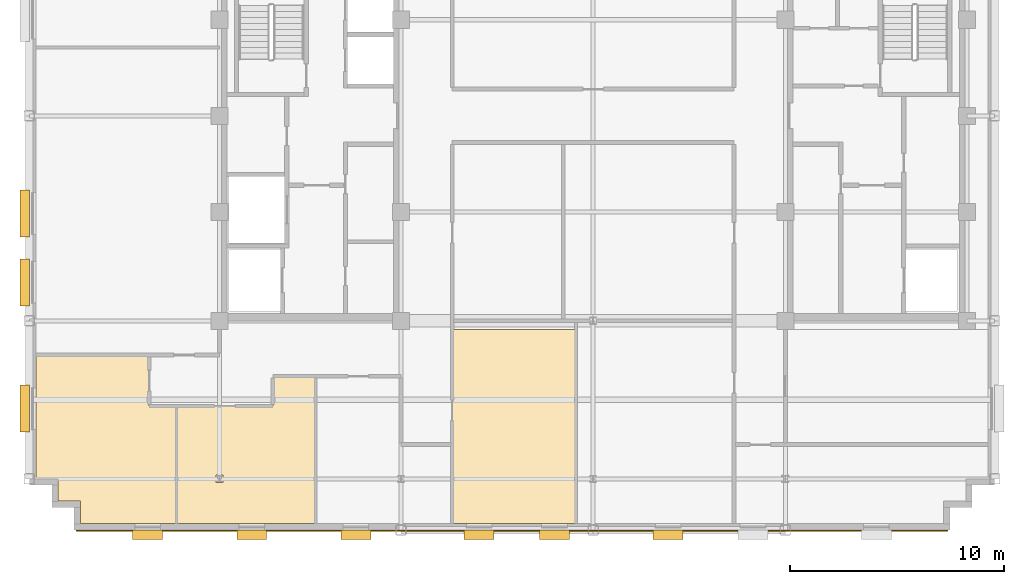
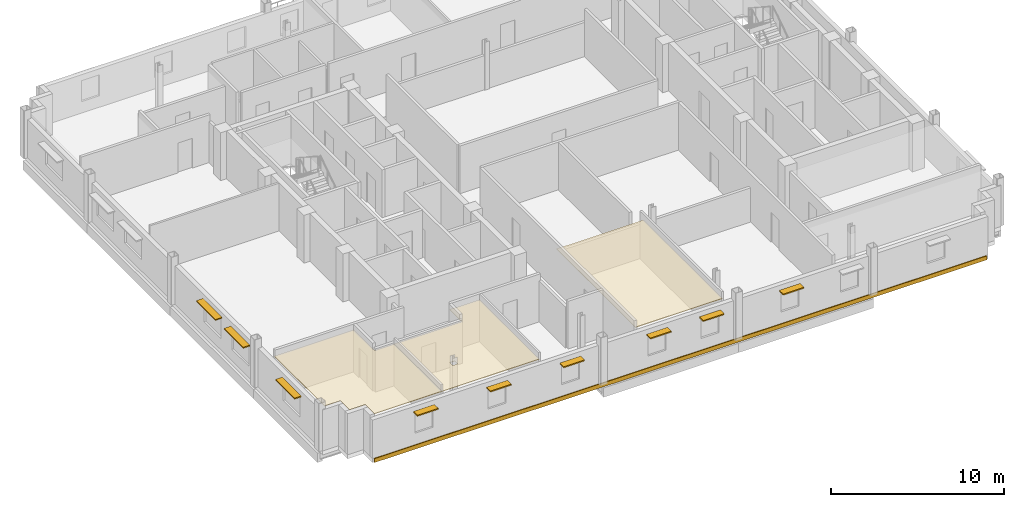
# One storey, part 10 of 14: 9 shading devices, 4 coverings.
"""IFC4 building model written with IfcOpenShell, lengths in metres."""

import ifcopenshell
import ifcopenshell.guid

model = None  # the IFC model being written
_history = None  # IfcOwnerHistory: only IFC2X3 demands one
_inside = {}  # id of a spatial element -> (the spatial element, [elements in it])
_under = {}  # id of a project, library or spatial element -> (it, [spatial elements below it])
_declared = {}  # id of a project -> (the project, [libraries it declares])
_typed = {}  # id of a type object -> (the type object, [elements of that type])
_made_of = {}  # id of a material, layer set ... -> (it, [elements and type objects made of it])


def new_model(schema):
    """Start an empty IFC model of exactly this schema.

    Asked for "IFC4X3", IfcOpenShell would pick the latest addendum, in which some entities
    have other attributes; the version numbers below select the first issue.
    IFC2X3 requires an IfcOwnerHistory on every rooted entity: one is made here for all.
    """
    global model, _history
    if schema == "IFC4X3":
        model = ifcopenshell.file(schema_version=(4, 3, 0, 0))
    else:
        model = ifcopenshell.file(schema=schema)
    _inside.clear()
    _under.clear()
    _declared.clear()
    _typed.clear()
    _made_of.clear()
    _history = None
    if model.schema == "IFC2X3":
        org = make("IfcOrganization", Name="unknown")
        user = make(
            "IfcPersonAndOrganization",
            ThePerson=make("IfcPerson", FamilyName="unknown"),
            TheOrganization=org,
        )
        app = make(
            "IfcApplication",
            ApplicationDeveloper=org,
            Version="unknown",
            ApplicationFullName="unknown",
            ApplicationIdentifier="unknown",
        )
        _history = make(
            "IfcOwnerHistory",
            OwningUser=user,
            OwningApplication=app,
            ChangeAction="ADDED",
            CreationDate=0,
        )
    return model


def make(cls, **values):
    """One entity of the class cls with the attributes given. An attribute that is None is left unset."""
    return model.create_entity(
        cls, **{name: value for name, value in values.items() if value is not None}
    )


def rooted(cls, **values):
    """An entity with a GlobalId (a new one), such as an element, a storey or a relation."""
    return make(cls, GlobalId=ifcopenshell.guid.new(), OwnerHistory=_history, **values)


def si_unit(unit_type, name, prefix=None):
    """IfcSIUnit, for example si_unit("LENGTHUNIT", "METRE", prefix="MILLI")."""
    return make("IfcSIUnit", UnitType=unit_type, Prefix=prefix, Name=name)


def assignment(units):
    """IfcUnitAssignment: the units of a project."""
    return None if units is None else make("IfcUnitAssignment", Units=units)


def point(xyz):
    """IfcCartesianPoint."""
    return None if xyz is None else make("IfcCartesianPoint", Coordinates=xyz)


def direction(xyz):
    """IfcDirection."""
    return None if xyz is None else make("IfcDirection", DirectionRatios=xyz)


def frame(location, z_axis=None, x_axis=None):
    """IfcAxis2Placement3D, a coordinate frame: its origin and axes. An axis left out is left unset."""
    return make(
        "IfcAxis2Placement3D",
        Location=point(location),
        Axis=direction(z_axis),
        RefDirection=direction(x_axis),
    )


def frame_2d(location, x_axis=None):
    """IfcAxis2Placement2D, a coordinate frame in the plane: its origin and x axis."""
    return make(
        "IfcAxis2Placement2D", Location=point(location), RefDirection=direction(x_axis)
    )


def origin():
    """The frame at (0, 0, 0) with its axes left unset."""
    return frame((0.0, 0.0, 0.0))


def origin_2d():
    """The frame at (0, 0) in the plane with its x axis left unset."""
    return frame_2d((0.0, 0.0))


def place(relative_to, where):
    """IfcLocalPlacement: puts the frame where relative to a parent placement (None: the world)."""
    return make(
        "IfcLocalPlacement", PlacementRelTo=relative_to, RelativePlacement=where
    )


def context(
    kind, dimensions, precision=None, world=None, true_north=None, identifier=None
):
    """IfcGeometricRepresentationContext, for example the 3D "Model" context."""
    return make(
        "IfcGeometricRepresentationContext",
        ContextIdentifier=identifier,
        ContextType=kind,
        CoordinateSpaceDimension=dimensions,
        Precision=precision,
        WorldCoordinateSystem=world,
        TrueNorth=true_north,
    )


def subcontext(parent, identifier, kind, view, scale=None):
    """IfcGeometricRepresentationSubContext, for example "Body" below "Model"."""
    return make(
        "IfcGeometricRepresentationSubContext",
        ContextIdentifier=identifier,
        ContextType=kind,
        ParentContext=parent,
        TargetScale=scale,
        TargetView=view,
    )


def project(units=None, contexts=None):
    """IfcProject with its units and contexts."""
    return rooted(
        "IfcProject",
        Name="project",
        RepresentationContexts=contexts,
        UnitsInContext=assignment(units),
    )


def spatial(cls, under=None, at=None, **own):
    """A site, building, storey or space (cls), placed at a placement, below another one or the project."""
    s = rooted(cls, ObjectPlacement=at, **own)
    if under is not None:
        _under.setdefault(under.id(), (under, []))[1].append(s)
    return s


def polyline(points):
    """IfcPolyline through the points."""
    return make("IfcPolyline", Points=[point(p) for p in points])


def profile(cls, at=None, kind="AREA", **sizes):
    """A parametric profile (cls). Its sizes go by their IFC names, for example OverallWidth=200.0."""
    return make(cls, ProfileType=kind, Position=at, **sizes)


def rectangle(**sizes):
    """IfcRectangleProfileDef."""
    return profile("IfcRectangleProfileDef", **sizes)


def outline(outer, holes=None, kind="AREA"):
    """IfcArbitraryClosedProfileDef: a profile drawn as a closed curve; with holes, ...WithVoids."""
    if holes is None:
        return make("IfcArbitraryClosedProfileDef", ProfileType=kind, OuterCurve=outer)
    return make(
        "IfcArbitraryProfileDefWithVoids",
        ProfileType=kind,
        OuterCurve=outer,
        InnerCurves=holes,
    )


def extrude(swept, where, along, depth):
    """IfcExtrudedAreaSolid: the profile swept, set in the frame where, extruded along a direction by depth."""
    return make(
        "IfcExtrudedAreaSolid",
        SweptArea=swept,
        Position=where,
        ExtrudedDirection=direction(along),
        Depth=depth,
    )


def shape(context_of_items, identifier, shape_type, items):
    """IfcShapeRepresentation: the items that make up one representation, for example the "Body"."""
    return make(
        "IfcShapeRepresentation",
        ContextOfItems=context_of_items,
        RepresentationIdentifier=identifier,
        RepresentationType=shape_type,
        Items=items,
    )


def source(mapping_origin, context_of_items, identifier, shape_type, items):
    """IfcRepresentationMap: a shape defined once, which mapped items show again and again."""
    return make(
        "IfcRepresentationMap",
        MappingOrigin=mapping_origin,
        MappedRepresentation=shape(context_of_items, identifier, shape_type, items),
    )


def transform(
    local_origin,
    x_axis=None,
    y_axis=None,
    z_axis=None,
    scale=None,
    scale2=None,
    scale3=None,
    uniform=True,
):
    """IfcCartesianTransformationOperator3D, or its non-uniform kind. x_axis, y_axis, z_axis: its Axis1, 2, 3."""
    if uniform:
        return make(
            "IfcCartesianTransformationOperator3D",
            Axis1=direction(x_axis),
            Axis2=direction(y_axis),
            LocalOrigin=point(local_origin),
            Scale=scale,
            Axis3=direction(z_axis),
        )
    return make(
        "IfcCartesianTransformationOperator3DnonUniform",
        Axis1=direction(x_axis),
        Axis2=direction(y_axis),
        LocalOrigin=point(local_origin),
        Scale=scale,
        Axis3=direction(z_axis),
        Scale2=scale2,
        Scale3=scale3,
    )


def mapped(mapping_source, mapping_target):
    """IfcMappedItem: shows the shape of a source again, moved by a transform."""
    return make(
        "IfcMappedItem", MappingSource=mapping_source, MappingTarget=mapping_target
    )


def material(Name=None, Category=None):
    """IfcMaterial."""
    return make("IfcMaterial", Name=Name, Category=Category)


def layer(
    of_material, thickness, ventilated=None, Name=None, Category=None, Priority=None
):
    """IfcMaterialLayer: one layer of a wall or slab, of a material (None: an air gap)."""
    return make(
        "IfcMaterialLayer",
        Material=of_material,
        LayerThickness=thickness,
        IsVentilated=ventilated,
        Name=Name,
        Category=Category,
        Priority=Priority,
    )


def layer_set(layers, Name=None):
    """IfcMaterialLayerSet."""
    return make("IfcMaterialLayerSet", MaterialLayers=layers, LayerSetName=Name)


def made_of(thing, what):
    """Note that an element or type object is made of a material, layer set ...; save() writes the relation."""
    if what is not None:
        _made_of.setdefault(what.id(), (what, []))[1].append(thing)
    return thing


def type_object(cls, material=None, **own):
    """A type object (cls), such as IfcWallType, which elements share."""
    return made_of(rooted(cls, **own), material)


def type_shapes(of_type, sources):
    """Give a type object the sources (RepresentationMaps) that its elements show as mapped items."""
    of_type.RepresentationMaps = sources


def element(
    cls,
    number,
    at=None,
    inside=None,
    cuts=None,
    type_object=None,
    material=None,
    context=None,
    identifier="Body",
    shape_type=None,
    held_by="IfcProductDefinitionShape",
    body=None,
    shapes=None,
    **own,
):
    """One element of the class cls, such as IfcWall. Its Tag is "e" and its number.

    at: its placement. inside: the storey or other place that contains it. cuts: it is an
    opening in that element (IfcRelVoidsElement). A single representation is given by context,
    identifier, shape_type and body (its items); several are given by shapes. held_by: the class
    of the entity that holds the representations. save() writes the other relations.
    """
    e = rooted(cls, Tag="e%d" % number, ObjectPlacement=at, **own)
    if body is not None:
        shapes = [shape(context, identifier, shape_type, body)]
    if shapes is not None:
        e.Representation = make(held_by, Representations=shapes)
    if inside is not None:
        _inside.setdefault(inside.id(), (inside, []))[1].append(e)
    if cuts is not None:
        rooted(
            "IfcRelVoidsElement", RelatingBuildingElement=cuts, RelatedOpeningElement=e
        )
    if type_object is not None:
        _typed.setdefault(type_object.id(), (type_object, []))[1].append(e)
    return made_of(e, material)


def aggregate(whole, parts):
    """IfcRelAggregates: a whole, such as a stair, and the parts it consists of."""
    return rooted("IfcRelAggregates", RelatingObject=whole, RelatedObjects=parts)


def save(model, path):
    """Write the relations noted so far, then the file.

    IfcRelAggregates (storeys below a building ...), IfcRelContainedInSpatialStructure (elements
    in a storey), IfcRelDefinesByType, IfcRelAssociatesMaterial and IfcRelDeclares: one each for
    every whole, place, type object, material and project.
    """
    for whole, parts in _under.values():
        aggregate(whole, parts)
    for where, things in _inside.values():
        rooted(
            "IfcRelContainedInSpatialStructure",
            RelatedElements=things,
            RelatingStructure=where,
        )
    for kind, things in _typed.values():
        rooted("IfcRelDefinesByType", RelatedObjects=things, RelatingType=kind)
    for what, things in _made_of.values():
        rooted("IfcRelAssociatesMaterial", RelatedObjects=things, RelatingMaterial=what)
    for by, libraries in _declared.values():
        rooted("IfcRelDeclares", RelatingContext=by, RelatedDefinitions=libraries)
    model.write(path)


model = new_model("IFC4")

# Units and contexts
model_context = context("Model", 3, precision=1e-05, world=origin(), true_north=direction((0.0, 1.0)))
body_context = subcontext(model_context, "Body", "Model", "MODEL_VIEW")
ifc_project = project(units=[si_unit("LENGTHUNIT", "METRE"), si_unit("AREAUNIT", "SQUARE_METRE"), si_unit("VOLUMEUNIT", "CUBIC_METRE"), si_unit("PLANEANGLEUNIT", "RADIAN"), si_unit("MASSUNIT", "GRAM", prefix="KILO")], contexts=[model_context])

# Site, building, storey
site_placement = place(None, origin())
site = spatial("IfcSite", under=ifc_project, at=site_placement, CompositionType="ELEMENT")
building_placement = place(site_placement, origin())
building = spatial("IfcBuilding", under=site, at=building_placement, Name="Nuvemarco Arch Tower", CompositionType="ELEMENT")
storey_placement = place(building_placement, frame((0.0, 0.0, 238.35009765625)))
storey = spatial("IfcBuildingStorey", under=building, at=storey_placement, Name="L63", CompositionType="ELEMENT", Elevation=238.35009765625)

# Coverings
ifc_material_1 = material(Name="Mineral acoustic ceiling tile")
ifc_layer_1 = layer(ifc_material_1, 0.0400390625, Name="COV-ACOUSTIC-CLG")
ifc_layer_set_1 = layer_set([ifc_layer_1], Name="Mineral acoustic ceiling tile")
covering_type_1 = type_object("IfcCoveringType", Name="COV-ACOUSTIC-CLG", PredefinedType="CEILING", material=ifc_layer_set_1)
covering_1_placement = place(storey_placement, frame((0.0, 0.0, 2.849853515625)))
element("IfcCovering", 1, at=covering_1_placement, inside=storey, type_object=covering_type_1, Name="L63 suspended acoustic ceiling 3", PredefinedType="CEILING", context=body_context, shape_type="SweptSolid", body=[
    extrude(outline(polyline([(-6.60009765625, -10.0), (-0.800048828125, -10.0), (-0.800048828125, -19.10009765625), (-6.60009765625, -19.10009765625), (-6.60009765625, -15.39990234375), (-6.60009765625, -12.199951171875), (-6.60009765625, -10.0)])), origin(), (0.0, 0.0, 1.0), 0.0400390625),
])
covering_2_placement = place(storey_placement, frame((0.0, 0.0, 2.849853515625)))
element("IfcCovering", 2, at=covering_2_placement, inside=storey, type_object=covering_type_1, Name="L63 suspended acoustic ceiling 6", PredefinedType="CEILING", context=body_context, shape_type="SweptSolid", body=[
    extrude(outline(polyline([(-26.10009765625, -17.0), (-26.10009765625, -11.199951171875), (-20.800048828125, -11.199951171875), (-20.800048828125, -13.60009765625), (-19.5, -13.60009765625), (-19.5, -19.10009765625), (-24.0, -19.10009765625), (-24.0, -18.050048828125), (-25.050048828125, -18.050048828125), (-25.050048828125, -17.0), (-26.10009765625, -17.0)])), origin(), (0.0, 0.0, 1.0), 0.0400390625),
])
covering_3_placement = place(storey_placement, frame((0.0, 0.0, 2.849853515625)))
element("IfcCovering", 3, at=covering_3_placement, inside=storey, type_object=covering_type_1, Name="L63 suspended acoustic ceiling 9", PredefinedType="CEILING", context=body_context, shape_type="SweptSolid", body=[
    extrude(outline(polyline([(-13.0, -12.199951171875), (-13.0, -19.10009765625), (-19.5, -19.10009765625), (-19.5, -13.60009765625), (-15.0, -13.60009765625), (-15.0, -12.199951171875), (-13.0, -12.199951171875)]), holes=[polyline([(-17.330078125, -16.830078125), (-17.669921875, -16.830078125), (-17.669921875, -17.169921875), (-17.330078125, -17.169921875), (-17.330078125, -16.830078125)])]), origin(), (0.0, 0.0, 1.0), 0.0400390625),
])

# Shading devices
ifc_material_2 = material(Name="Anodised aluminium 6063-T6", Category="aluminium")
shading_device_type_1 = type_object("IfcShadingDeviceType", Name="SHD-BRISE-SOLEIL", PredefinedType="USERDEFINED", material=ifc_material_2)
shared_shape_1 = source(origin(), body_context, "Body", "SweptSolid", [
    extrude(rectangle(XDim=2.199951171875, YDim=0.449951171875, at=origin_2d()), origin(), (0.0, 0.0, 1.0), 0.080078125),
])
type_shapes(shading_device_type_1, [shared_shape_1])
for number, where, z_axis, x_axis, name in (
    (4, (-26.614990234375, -13.7177734375, 2.284912109375), (0.0, 0.0, 1.0), (0.0, 1.0, 0.0), "L63 horizontal brise-soleil sunshade"),
    (5, (-26.614990234375, -7.795166015625, 2.284912109375), (0.0, 0.0, 1.0), (0.0, 1.0, 0.0), "L63 horizontal brise-soleil sunshade"),
    (6, (-26.614990234375, -4.572509765625, 2.284912109375), (0.0, 0.0, 1.0), (0.0, 1.0, 0.0), "L63 horizontal brise-soleil sunshade"),
):
    element("IfcShadingDevice", number, at=place(storey_placement, frame(where, z_axis=z_axis, x_axis=x_axis)), inside=storey, type_object=shading_device_type_1, Name=name, ObjectType="SUNSHADE", PredefinedType="USERDEFINED", context=body_context, shape_type="MappedRepresentation", body=[
        mapped(shared_shape_1, transform((0.0, 0.0, 0.0), scale=1.0)),
    ])
shading_device_type_2 = type_object("IfcShadingDeviceType", Name="SHD-BRISE-NARROW", PredefinedType="USERDEFINED", material=ifc_material_2)
shared_shape_2 = source(origin(), body_context, "Body", "SweptSolid", [
    extrude(rectangle(XDim=1.39990234375, YDim=0.449951171875, at=origin_2d()), origin(), (0.0, 0.0, 1.0), 0.080078125),
])
type_shapes(shading_device_type_2, [shared_shape_2])
for number, where, z_axis, x_axis, name in (
    (7, (-20.862548828125, -19.614990234375, 2.284912109375), (0.0, 0.0, 1.0), (1.0, 0.0, 0.0), "L63 horizontal brise-soleil sunshade"),
    (8, (-15.987548828125, -19.614990234375, 2.284912109375), (0.0, 0.0, 1.0), (1.0, 0.0, 0.0), "L63 horizontal brise-soleil sunshade"),
    (9, (-11.112548828125, -19.614990234375, 2.284912109375), (0.0, 0.0, 1.0), (1.0, 0.0, 0.0), "L63 horizontal brise-soleil sunshade"),
    (10, (-5.33740234375, -19.614990234375, 2.284912109375), (0.0, 0.0, 1.0), (1.0, 0.0, 0.0), "L63 horizontal brise-soleil sunshade"),
    (11, (-1.8125, -19.614990234375, 2.284912109375), (0.0, 0.0, 1.0), (1.0, 0.0, 0.0), "L63 horizontal brise-soleil sunshade"),
    (12, (3.512451171875, -19.614990234375, 2.284912109375), (0.0, 0.0, 1.0), (1.0, 0.0, 0.0), "L63 horizontal brise-soleil sunshade"),
):
    element("IfcShadingDevice", number, at=place(storey_placement, frame(where, z_axis=z_axis, x_axis=x_axis)), inside=storey, type_object=shading_device_type_2, Name=name, ObjectType="SUNSHADE", PredefinedType="USERDEFINED", context=body_context, shape_type="MappedRepresentation", body=[
        mapped(shared_shape_2, transform((0.0, 0.0, 0.0), scale=1.0)),
    ])

# Covering
ifc_material_3 = material(Name="Precast concrete C45/55", Category="concrete")
ifc_layer_2 = layer(ifc_material_3, 0.06005859375, Name="COV-SPANDREL-CLAD")
ifc_layer_set_2 = layer_set([ifc_layer_2], Name="Precast concrete C45/55")
covering_type_2 = type_object("IfcCoveringType", Name="COV-SPANDREL-CLAD", PredefinedType="CLADDING", material=ifc_layer_set_2)
shared_shape_3 = source(origin(), body_context, "Body", "SweptSolid", [
    extrude(rectangle(XDim=40.800048828125, YDim=0.06005859375, at=origin_2d()), origin(), (0.0, 0.0, 1.0), 0.280029296875),
])
type_shapes(covering_type_2, [shared_shape_3])
covering_4_placement = place(storey_placement, frame((-3.800048828125, -19.428955078125, -0.2802734375), z_axis=(0.0, 0.0, 1.0), x_axis=(1.0, 0.0, 0.0)))
element("IfcCovering", 13, at=covering_4_placement, inside=storey, type_object=covering_type_2, Name="L63 precast spandrel edge cladding south", PredefinedType="CLADDING", context=body_context, shape_type="MappedRepresentation", body=[
    mapped(shared_shape_3, transform((0.0, 0.0, 0.0), scale=1.0)),
])

save(model, "model.ifc")
